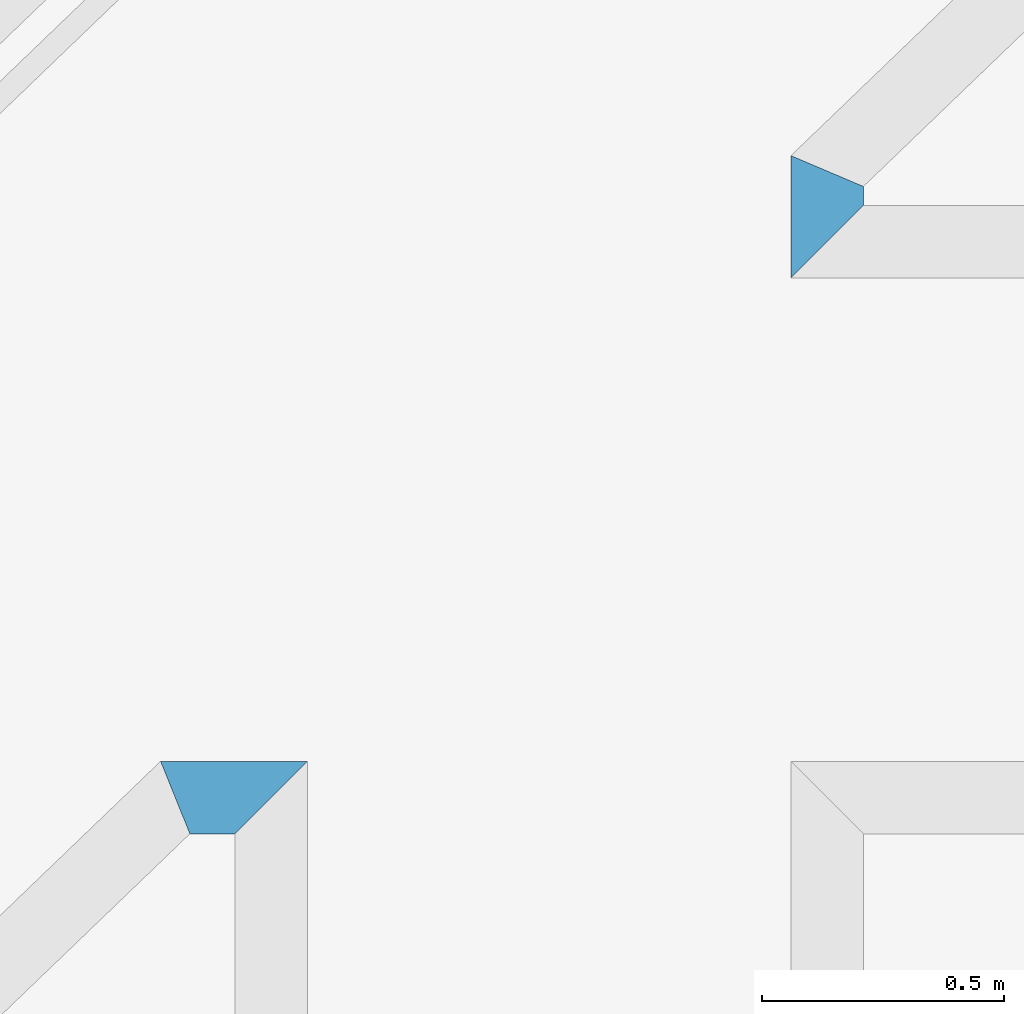
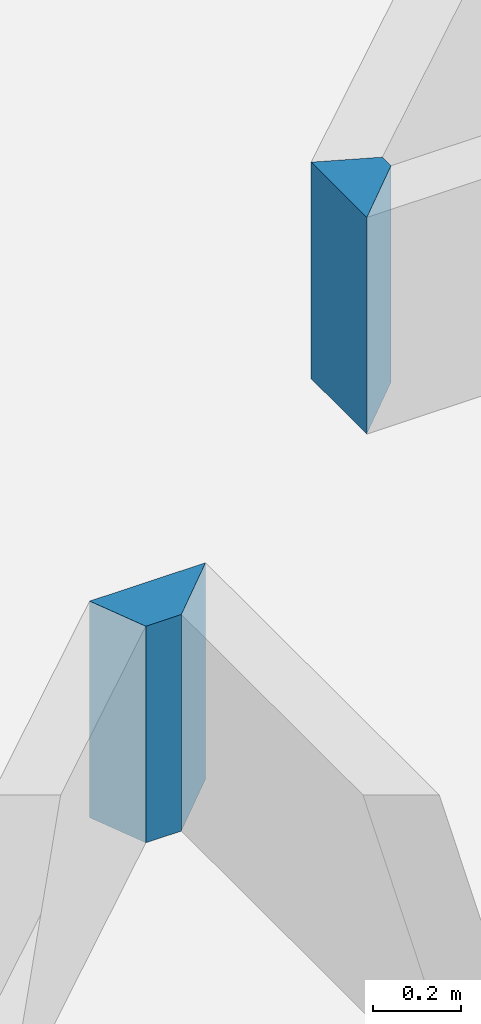
# One storey, part 12 of 29: 2 walls.
"""IFC4 building model written with IfcOpenShell, lengths in metres."""

from ifc_helpers import new_model, si_unit, direction, frame, origin, place, context, subcontext, project, spatial, polyline, outline, extrude, material, layer, layer_set, type_object, element, save


model = new_model("IFC4")

# Units and contexts
model_context = context("Model", 3, precision=1e-05, world=origin(), true_north=direction((0.0, 1.0)))
body_context = subcontext(model_context, "Body", "Model", "MODEL_VIEW")
ifc_project = project(units=[si_unit("LENGTHUNIT", "METRE"), si_unit("AREAUNIT", "SQUARE_METRE"), si_unit("VOLUMEUNIT", "CUBIC_METRE"), si_unit("PLANEANGLEUNIT", "RADIAN"), si_unit("MASSUNIT", "GRAM", prefix="KILO")], contexts=[model_context])

# Site, building, storey
site_placement = place(None, origin())
site = spatial("IfcSite", under=ifc_project, at=site_placement, CompositionType="ELEMENT")
building_placement = place(site_placement, origin())
building = spatial("IfcBuilding", under=site, at=building_placement, Name="Verdalira Terraces Hotel", CompositionType="ELEMENT")
storey_placement = place(building_placement, frame((0.0, 0.0, 8.0)))
storey = spatial("IfcBuildingStorey", under=building, at=storey_placement, Name="L01", CompositionType="ELEMENT", Elevation=8.0)

# Walls
ifc_material = material(Name="Concrete C40", Category="concrete")
ifc_layer = layer(ifc_material, 0.14990234375)
ifc_layer_set = layer_set([ifc_layer], Name="Terrace planter trough 150 x 600")
wall_type = type_object("IfcWallType", Name="Terrace planter trough 150 x 600", PredefinedType="SOLIDWALL", material=ifc_layer_set)
wall_1_placement = place(storey_placement, origin())
element("IfcWall", 1, at=wall_1_placement, inside=storey, type_object=wall_type, Name="Terrace planting bed trough", PredefinedType="SOLIDWALL", context=body_context, shape_type="SweptSolid", body=[
    extrude(outline(polyline([(-33.5, 32.5), (-33.803711, 32.5), (-33.743164, 32.350098), (-33.649902, 32.350098), (-33.5, 32.5)])), origin(), (0.0, 0.0, 1.0), 0.600098),
])
wall_2_placement = place(storey_placement, origin())
element("IfcWall", 2, at=wall_2_placement, inside=storey, type_object=wall_type, Name="Terrace planting bed trough", PredefinedType="SOLIDWALL", context=body_context, shape_type="SweptSolid", body=[
    extrude(outline(polyline([(-32.5, 33.752686), (-32.5, 33.5), (-32.350098, 33.649902), (-32.350098, 33.688965), (-32.5, 33.752686)])), origin(), (0.0, 0.0, 1.0), 0.600098),
])

save(model, "model.ifc")
